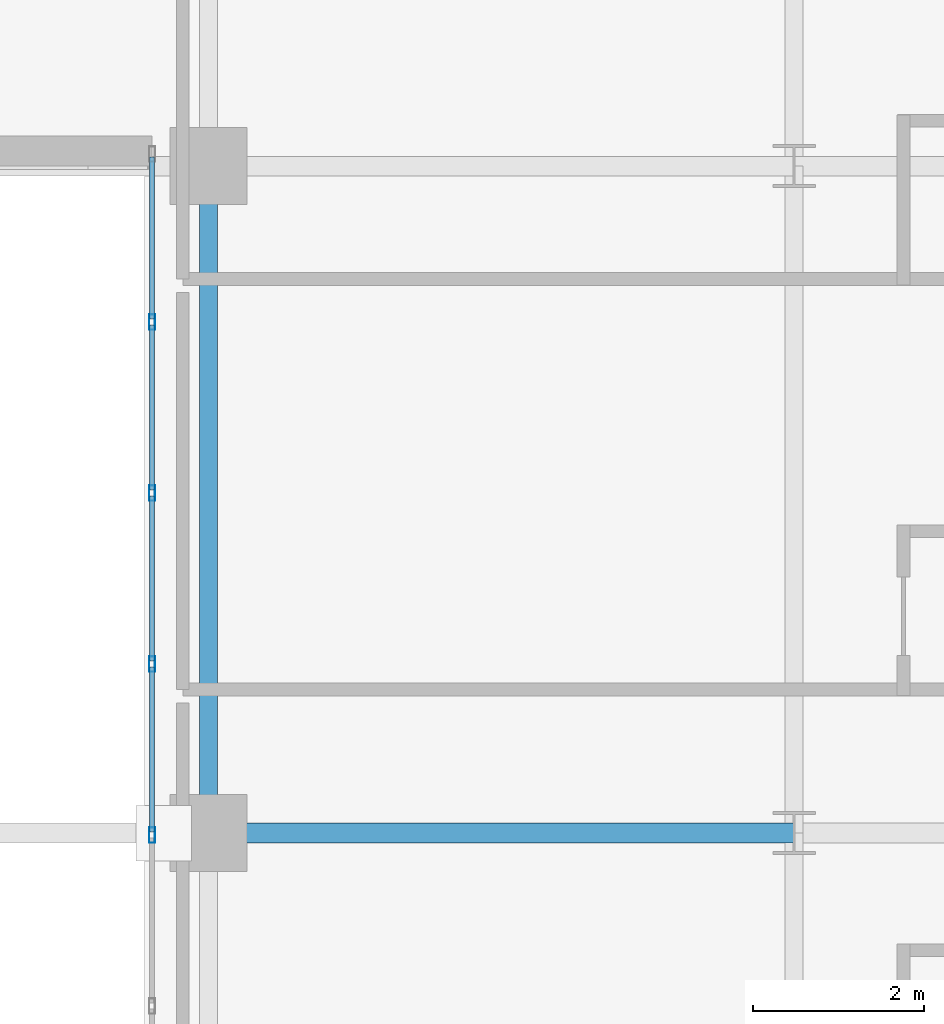
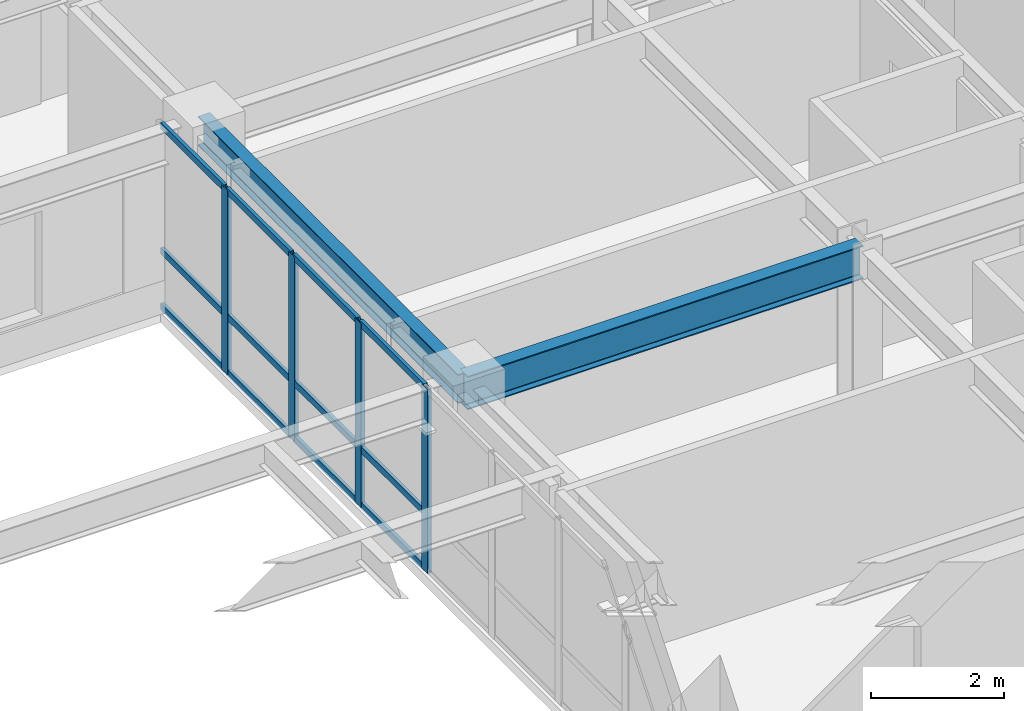
# One storey, part 9 of 24: 16 members, 2 beams, 1 element without a shape of its own.
"""IFC4 building model written with IfcOpenShell, lengths in metres."""

from ifc_helpers import new_model, si_unit, direction, frame, origin, origin_2d, place, context, subcontext, project, spatial, hollow_rectangle, i_section, extrude, source, transform, mapped, material, layer, layer_set, material_profile, profile_set, type_object, type_shapes, element, aggregate, save


model = new_model("IFC4")

# Units and contexts
model_context = context("Model", 3, precision=1e-05, world=origin(), true_north=direction((0.0, 1.0)))
body_context = subcontext(model_context, "Body", "Model", "MODEL_VIEW")
ifc_project = project(units=[si_unit("LENGTHUNIT", "METRE"), si_unit("AREAUNIT", "SQUARE_METRE"), si_unit("VOLUMEUNIT", "CUBIC_METRE"), si_unit("PLANEANGLEUNIT", "RADIAN"), si_unit("MASSUNIT", "GRAM", prefix="KILO")], contexts=[model_context])

# Site, building, storey
site_placement = place(None, origin())
site = spatial("IfcSite", under=ifc_project, at=site_placement, CompositionType="ELEMENT")
building_placement = place(site_placement, origin())
building = spatial("IfcBuilding", under=site, at=building_placement, Name="Tolvann Quenvar Hotel", CompositionType="ELEMENT")
storey_placement = place(building_placement, frame((0.0, 0.0, 118.64990234375)))
storey = spatial("IfcBuildingStorey", under=building, at=storey_placement, Name="L30", CompositionType="ELEMENT", Elevation=118.64990234375)

# Beams
ifc_material_1 = material(Name="Steel Grade 350", Category="steel")
ifc_material_profile_1 = material_profile(ifc_material_1, i_section(OverallWidth=0.22900390625, OverallDepth=0.612060546875, WebThickness=0.011962890625, FlangeThickness=0.01953125, FilletRadius=0.013916015625, at=origin_2d()), Name="610UB125")
ifc_profile_set_1 = profile_set([ifc_material_profile_1], Name="Steel Grade 350")
beam_type_1 = type_object("IfcBeamType", Name="BM_GIRD_610UB125", PredefinedType="BEAM", material=ifc_profile_set_1)
shared_shape_1 = source(origin(), body_context, "Body", "SweptSolid", [
    extrude(i_section(OverallWidth=0.22900390625, OverallDepth=0.612060546875, WebThickness=0.011962890625, FlangeThickness=0.01953125, FilletRadius=0.013916015625, at=origin_2d()), origin(), (0.0, 0.0, 1.0), 6.85009765625),
])
type_shapes(beam_type_1, [shared_shape_1])
beam_1_placement = place(storey_placement, frame((34.949951171875, 8.199951171875, 3.064208984375), z_axis=(1.0, 0.0, 0.0), x_axis=(0.0, 1.0, 0.0)))
element("IfcBeam", 1, at=beam_1_placement, inside=storey, type_object=beam_type_1, Name="BM-L30-EW-3-F3-H3", PredefinedType="BEAM", context=body_context, shape_type="MappedRepresentation", body=[
    mapped(shared_shape_1, transform((0.0, 0.0, 0.0), x_axis=(1.0, 0.0, 0.0), y_axis=(0.0, 1.0, 0.0), z_axis=(0.0, 0.0, 1.0), scale=1.0)),
])
ifc_material_profile_2 = material_profile(ifc_material_1, i_section(OverallWidth=0.208984375, OverallDepth=0.532958984375, WebThickness=0.01025390625, FlangeThickness=0.015625, FilletRadius=0.013916015625, at=origin_2d()), Name="530UB92")
ifc_profile_set_2 = profile_set([ifc_material_profile_2], Name="Steel Grade 350")
beam_type_2 = type_object("IfcBeamType", Name="BM_GIRD_530UB92", PredefinedType="BEAM", material=ifc_profile_set_2)
shared_shape_2 = source(origin(), body_context, "Body", "SweptSolid", [
    extrude(i_section(OverallWidth=0.208984375, OverallDepth=0.532958984375, WebThickness=0.01025390625, FlangeThickness=0.015625, FilletRadius=0.013916015625, at=origin_2d()), origin(), (0.0, 0.0, 1.0), 7.800048828125),
])
type_shapes(beam_type_2, [shared_shape_2])
beam_2_placement = place(storey_placement, frame((34.949951171875, 8.199951171875, 3.103515625), z_axis=(0.0, 1.0, 0.0), x_axis=(-1.0, 0.0, 0.0)))
element("IfcBeam", 2, at=beam_2_placement, inside=storey, type_object=beam_type_2, Name="BM-L30-NS-F3-F4", PredefinedType="BEAM", context=body_context, shape_type="MappedRepresentation", body=[
    mapped(shared_shape_2, transform((0.0, 0.0, 0.0), x_axis=(1.0, 0.0, 0.0), y_axis=(0.0, 1.0, 0.0), z_axis=(0.0, 0.0, 1.0), scale=1.0)),
])

# Curtain wall, members
ifc_material_2 = material(Name="Thermally broken anodised architectural aluminium 6063-T6 and laminated low-E glass", Category="aluminium")
ifc_layer = layer(ifc_material_2, 0.179931640625)
ifc_layer_set = layer_set([ifc_layer], Name="Thermally broken anodised architectural aluminium 6063-T6 and laminated low-E glass")
curtain_wall_type = type_object("IfcCurtainWallType", Name="CW_SYS_SLOT_03", PredefinedType="USERDEFINED", material=ifc_layer_set)
curtain_wall_placement = place(storey_placement, origin())
curtain_wall = element("IfcCurtainWall", 3, at=curtain_wall_placement, inside=storey, type_object=curtain_wall_type, Name="Curtain Wall CW-SLOT-03 (CWR-L30-E07)", ObjectType="UNITISED CURTAIN WALL", PredefinedType="USERDEFINED")
ifc_material_3 = material(Name="Anodised architectural aluminium 6063-T6 framing", Category="aluminium")
ifc_material_profile_3 = material_profile(ifc_material_3, hollow_rectangle(XDim=0.070068359375, YDim=0.179931640625, WallThickness=0.00390625, at=origin_2d()), Name="180x70x4RHS")
ifc_profile_set_3 = profile_set([ifc_material_profile_3], Name="Anodised architectural aluminium 6063-T6 framing")
member_type_1 = type_object("IfcMemberType", Name="CW_MULL_180x70", PredefinedType="MULLION", material=ifc_profile_set_3)
shared_shape_3 = source(origin(), body_context, "Body", "SweptSolid", [
    extrude(hollow_rectangle(XDim=0.070068359375, YDim=0.179931640625, WallThickness=0.00390625, at=origin_2d()), origin(), (0.0, 0.0, 1.0), 3.3701171875),
])
type_shapes(member_type_1, [shared_shape_3])
member_1_placement = place(storey_placement, frame((34.2900390625, 14.175048828125, 0.0), z_axis=(0.0, 0.0, 1.0), x_axis=(1.0, 0.0, 0.0)))
member_1 = element("IfcMember", 4, at=member_1_placement, type_object=member_type_1, Name="CW-SLOT-03 mullion 2", PredefinedType="MULLION", context=body_context, shape_type="MappedRepresentation", body=[
    mapped(shared_shape_3, transform((0.0, 0.0, 0.0), x_axis=(1.0, 0.0, 0.0), y_axis=(0.0, 1.0, 0.0), z_axis=(0.0, 0.0, 1.0), scale=1.0)),
])
member_2_placement = place(storey_placement, frame((34.2900390625, 12.175048828125, 0.0), z_axis=(0.0, 0.0, 1.0), x_axis=(1.0, 0.0, 0.0)))
member_2 = element("IfcMember", 5, at=member_2_placement, type_object=member_type_1, Name="CW-SLOT-03 mullion 3", PredefinedType="MULLION", context=body_context, shape_type="MappedRepresentation", body=[
    mapped(shared_shape_3, transform((0.0, 0.0, 0.0), x_axis=(1.0, 0.0, 0.0), y_axis=(0.0, 1.0, 0.0), z_axis=(0.0, 0.0, 1.0), scale=1.0)),
])
member_3_placement = place(storey_placement, frame((34.2900390625, 10.175048828125, 0.0), z_axis=(0.0, 0.0, 1.0), x_axis=(1.0, 0.0, 0.0)))
member_3 = element("IfcMember", 6, at=member_3_placement, type_object=member_type_1, Name="CW-SLOT-03 mullion 4", PredefinedType="MULLION", context=body_context, shape_type="MappedRepresentation", body=[
    mapped(shared_shape_3, transform((0.0, 0.0, 0.0), x_axis=(1.0, 0.0, 0.0), y_axis=(0.0, 1.0, 0.0), z_axis=(0.0, 0.0, 1.0), scale=1.0)),
])
member_4_placement = place(storey_placement, frame((34.2900390625, 8.175048828125, 0.0), z_axis=(0.0, 0.0, 1.0), x_axis=(1.0, 0.0, 0.0)))
member_4 = element("IfcMember", 7, at=member_4_placement, type_object=member_type_1, Name="CW-SLOT-03 mullion 5", PredefinedType="MULLION", context=body_context, shape_type="MappedRepresentation", body=[
    mapped(shared_shape_3, transform((0.0, 0.0, 0.0), x_axis=(1.0, 0.0, 0.0), y_axis=(0.0, 1.0, 0.0), z_axis=(0.0, 0.0, 1.0), scale=1.0)),
])
ifc_material_profile_4 = material_profile(ifc_material_3, hollow_rectangle(XDim=0.06005859375, YDim=0.1201171875, WallThickness=0.00341796875, at=origin_2d()), Name="120x60x3.5RHS")
ifc_profile_set_4 = profile_set([ifc_material_profile_4], Name="Anodised architectural aluminium 6063-T6 framing")
member_type_2 = type_object("IfcMemberType", Name="CW_TRAN_120x60", PredefinedType="USERDEFINED", material=ifc_profile_set_4)
shared_shape_4 = source(origin(), body_context, "Body", "SweptSolid", [
    extrude(hollow_rectangle(XDim=0.06005859375, YDim=0.1201171875, WallThickness=0.00341796875, at=origin_2d()), origin(), (0.0, 0.0, 1.0), 1.929931640625),
])
member_5_placement = place(storey_placement, frame((34.2900390625, 14.139892578125, 0.030029296875), z_axis=(0.0, -1.0, 0.0), x_axis=(1.0, 0.0, 0.0)))
member_5 = element("IfcMember", 8, at=member_5_placement, type_object=member_type_2, Name="CW-SLOT-03 transom 2.1", ObjectType="TRANSOM", PredefinedType="USERDEFINED", context=body_context, shape_type="MappedRepresentation", body=[
    mapped(shared_shape_4, transform((0.0, 0.0, 0.0), x_axis=(1.0, 0.0, 0.0), y_axis=(0.0, 1.0, 0.0), z_axis=(0.0, 0.0, 1.0), scale=1.0)),
])
member_6_placement = place(storey_placement, frame((34.2900390625, 14.139892578125, 1.050048828125), z_axis=(0.0, -1.0, 0.0), x_axis=(1.0, 0.0, 0.0)))
member_6 = element("IfcMember", 9, at=member_6_placement, type_object=member_type_2, Name="CW-SLOT-03 transom 2.2", ObjectType="TRANSOM", PredefinedType="USERDEFINED", context=body_context, shape_type="MappedRepresentation", body=[
    mapped(shared_shape_4, transform((0.0, 0.0, 0.0), x_axis=(1.0, 0.0, 0.0), y_axis=(0.0, 1.0, 0.0), z_axis=(0.0, 0.0, 1.0), scale=1.0)),
])
member_7_placement = place(storey_placement, frame((34.2900390625, 14.139892578125, 3.340087890625), z_axis=(0.0, -1.0, 0.0), x_axis=(1.0, 0.0, 0.0)))
member_7 = element("IfcMember", 10, at=member_7_placement, type_object=member_type_2, Name="CW-SLOT-03 transom 2.3", ObjectType="TRANSOM", PredefinedType="USERDEFINED", context=body_context, shape_type="MappedRepresentation", body=[
    mapped(shared_shape_4, transform((0.0, 0.0, 0.0), x_axis=(1.0, 0.0, 0.0), y_axis=(0.0, 1.0, 0.0), z_axis=(0.0, 0.0, 1.0), scale=1.0)),
])
member_8_placement = place(storey_placement, frame((34.2900390625, 12.139892578125, 0.030029296875), z_axis=(0.0, -1.0, 0.0), x_axis=(1.0, 0.0, 0.0)))
member_8 = element("IfcMember", 11, at=member_8_placement, type_object=member_type_2, Name="CW-SLOT-03 transom 3.1", ObjectType="TRANSOM", PredefinedType="USERDEFINED", context=body_context, shape_type="MappedRepresentation", body=[
    mapped(shared_shape_4, transform((0.0, 0.0, 0.0), x_axis=(1.0, 0.0, 0.0), y_axis=(0.0, 1.0, 0.0), z_axis=(0.0, 0.0, 1.0), scale=1.0)),
])
member_9_placement = place(storey_placement, frame((34.2900390625, 12.139892578125, 1.050048828125), z_axis=(0.0, -1.0, 0.0), x_axis=(1.0, 0.0, 0.0)))
member_9 = element("IfcMember", 12, at=member_9_placement, type_object=member_type_2, Name="CW-SLOT-03 transom 3.2", ObjectType="TRANSOM", PredefinedType="USERDEFINED", context=body_context, shape_type="MappedRepresentation", body=[
    mapped(shared_shape_4, transform((0.0, 0.0, 0.0), x_axis=(1.0, 0.0, 0.0), y_axis=(0.0, 1.0, 0.0), z_axis=(0.0, 0.0, 1.0), scale=1.0)),
])
member_10_placement = place(storey_placement, frame((34.2900390625, 12.139892578125, 3.340087890625), z_axis=(0.0, -1.0, 0.0), x_axis=(1.0, 0.0, 0.0)))
member_10 = element("IfcMember", 13, at=member_10_placement, type_object=member_type_2, Name="CW-SLOT-03 transom 3.3", ObjectType="TRANSOM", PredefinedType="USERDEFINED", context=body_context, shape_type="MappedRepresentation", body=[
    mapped(shared_shape_4, transform((0.0, 0.0, 0.0), x_axis=(1.0, 0.0, 0.0), y_axis=(0.0, 1.0, 0.0), z_axis=(0.0, 0.0, 1.0), scale=1.0)),
])
member_11_placement = place(storey_placement, frame((34.2900390625, 10.139892578125, 0.030029296875), z_axis=(0.0, -1.0, 0.0), x_axis=(1.0, 0.0, 0.0)))
member_11 = element("IfcMember", 14, at=member_11_placement, type_object=member_type_2, Name="CW-SLOT-03 transom 4.1", ObjectType="TRANSOM", PredefinedType="USERDEFINED", context=body_context, shape_type="MappedRepresentation", body=[
    mapped(shared_shape_4, transform((0.0, 0.0, 0.0), x_axis=(1.0, 0.0, 0.0), y_axis=(0.0, 1.0, 0.0), z_axis=(0.0, 0.0, 1.0), scale=1.0)),
])
member_12_placement = place(storey_placement, frame((34.2900390625, 10.139892578125, 1.050048828125), z_axis=(0.0, -1.0, 0.0), x_axis=(1.0, 0.0, 0.0)))
member_12 = element("IfcMember", 15, at=member_12_placement, type_object=member_type_2, Name="CW-SLOT-03 transom 4.2", ObjectType="TRANSOM", PredefinedType="USERDEFINED", context=body_context, shape_type="MappedRepresentation", body=[
    mapped(shared_shape_4, transform((0.0, 0.0, 0.0), x_axis=(1.0, 0.0, 0.0), y_axis=(0.0, 1.0, 0.0), z_axis=(0.0, 0.0, 1.0), scale=1.0)),
])
member_13_placement = place(storey_placement, frame((34.2900390625, 10.139892578125, 3.340087890625), z_axis=(0.0, -1.0, 0.0), x_axis=(1.0, 0.0, 0.0)))
member_13 = element("IfcMember", 16, at=member_13_placement, type_object=member_type_2, Name="CW-SLOT-03 transom 4.3", ObjectType="TRANSOM", PredefinedType="USERDEFINED", context=body_context, shape_type="MappedRepresentation", body=[
    mapped(shared_shape_4, transform((0.0, 0.0, 0.0), x_axis=(1.0, 0.0, 0.0), y_axis=(0.0, 1.0, 0.0), z_axis=(0.0, 0.0, 1.0), scale=1.0)),
])
shared_shape_5 = source(origin(), body_context, "Body", "SweptSolid", [
    extrude(hollow_rectangle(XDim=0.06005859375, YDim=0.1201171875, WallThickness=0.00341796875, at=origin_2d()), origin(), (0.0, 0.0, 1.0), 1.89501953125),
])
type_shapes(member_type_2, [shared_shape_4, shared_shape_5])
member_14_placement = place(storey_placement, frame((34.2900390625, 16.10498046875, 0.030029296875), z_axis=(0.0, -1.0, 0.0), x_axis=(1.0, 0.0, 0.0)))
member_14 = element("IfcMember", 17, at=member_14_placement, type_object=member_type_2, Name="CW-SLOT-03 transom 1.1", ObjectType="TRANSOM", PredefinedType="USERDEFINED", context=body_context, shape_type="MappedRepresentation", body=[
    mapped(shared_shape_5, transform((0.0, 0.0, 0.0), x_axis=(1.0, 0.0, 0.0), y_axis=(0.0, 1.0, 0.0), z_axis=(0.0, 0.0, 1.0), scale=1.0)),
])
member_15_placement = place(storey_placement, frame((34.2900390625, 16.10498046875, 1.050048828125), z_axis=(0.0, -1.0, 0.0), x_axis=(1.0, 0.0, 0.0)))
member_15 = element("IfcMember", 18, at=member_15_placement, type_object=member_type_2, Name="CW-SLOT-03 transom 1.2", ObjectType="TRANSOM", PredefinedType="USERDEFINED", context=body_context, shape_type="MappedRepresentation", body=[
    mapped(shared_shape_5, transform((0.0, 0.0, 0.0), x_axis=(1.0, 0.0, 0.0), y_axis=(0.0, 1.0, 0.0), z_axis=(0.0, 0.0, 1.0), scale=1.0)),
])
member_16_placement = place(storey_placement, frame((34.2900390625, 16.10498046875, 3.340087890625), z_axis=(0.0, -1.0, 0.0), x_axis=(1.0, 0.0, 0.0)))
member_16 = element("IfcMember", 19, at=member_16_placement, type_object=member_type_2, Name="CW-SLOT-03 transom 1.3", ObjectType="TRANSOM", PredefinedType="USERDEFINED", context=body_context, shape_type="MappedRepresentation", body=[
    mapped(shared_shape_5, transform((0.0, 0.0, 0.0), x_axis=(1.0, 0.0, 0.0), y_axis=(0.0, 1.0, 0.0), z_axis=(0.0, 0.0, 1.0), scale=1.0)),
])
aggregate(curtain_wall, [member_1, member_2, member_3, member_4, member_14, member_15, member_16, member_5, member_6, member_7, member_8, member_9, member_10, member_11, member_12, member_13])

save(model, "model.ifc")
